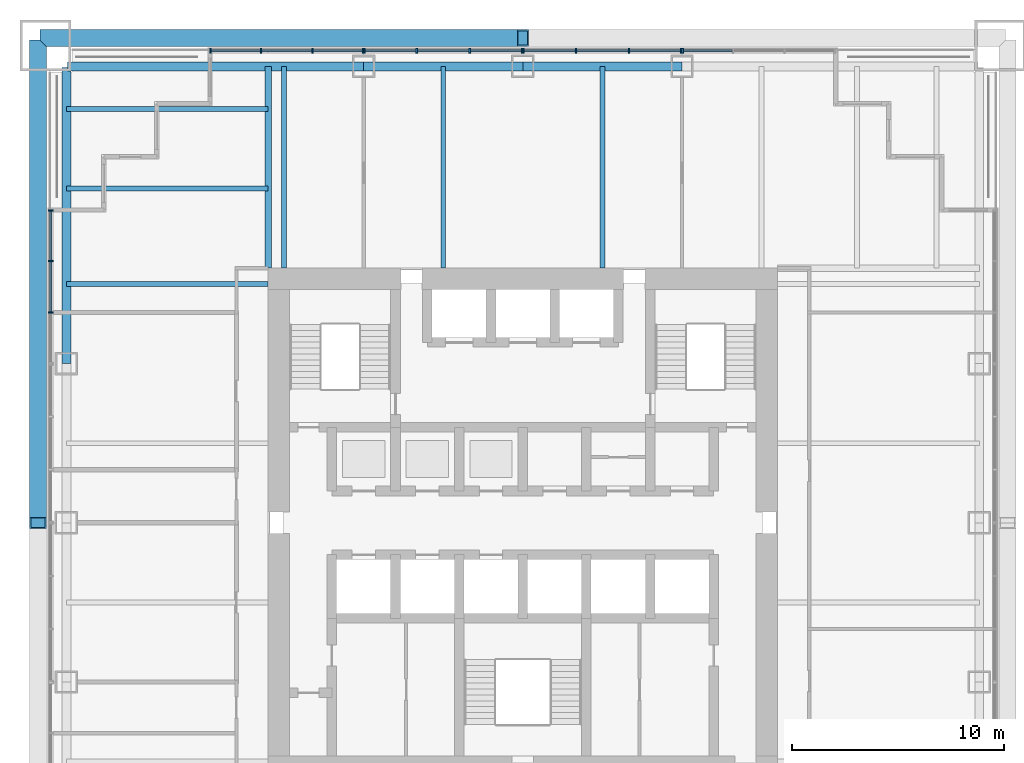
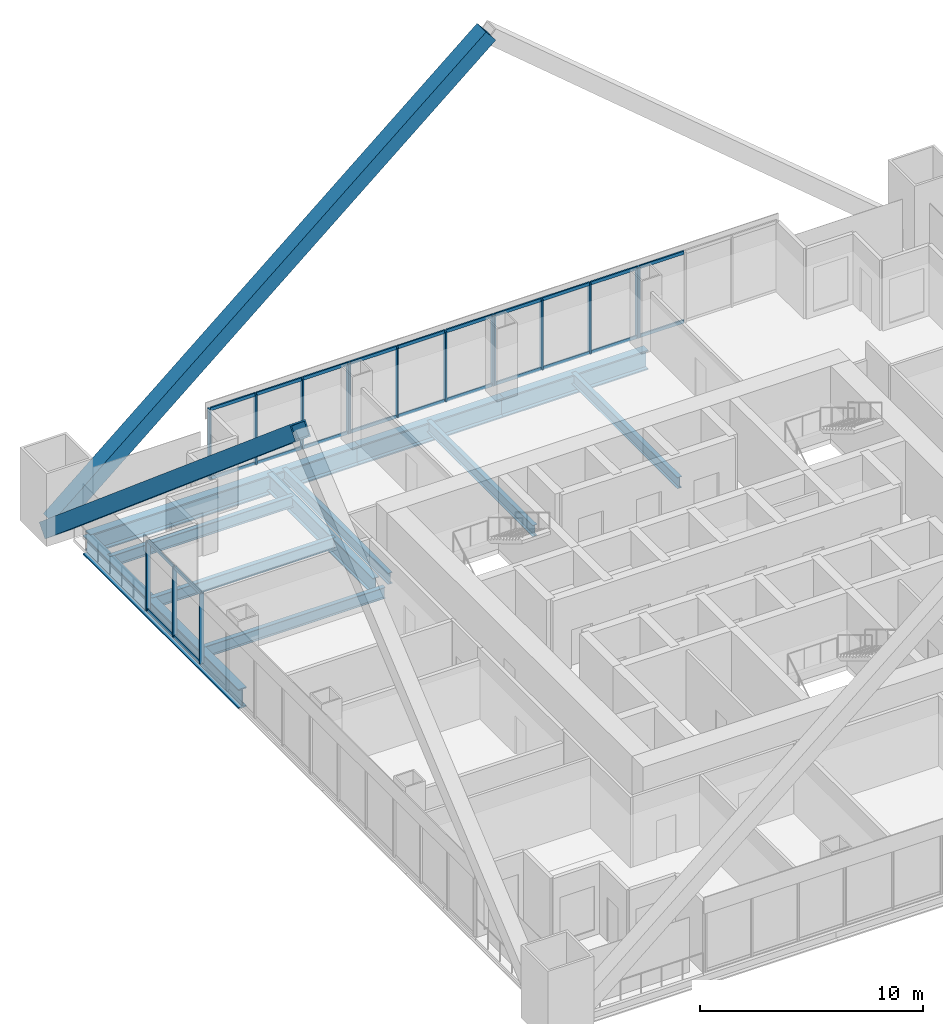
# One storey, part 5 of 14: 42 members, 11 beams, 5 elements without a shape of their own.
"""IFC4 building model written with IfcOpenShell, lengths in metres."""

from ifc_helpers import new_model, si_unit, direction, frame, origin, origin_2d, place, context, subcontext, project, spatial, rectangle, hollow_rectangle, i_section, extrude, material, material_profile, profile_set, type_object, element, aggregate, save


model = new_model("IFC4")

# Units and contexts
model_context = context("Model", 3, precision=1e-05, world=origin(), true_north=direction((0.0, 1.0)))
body_context = subcontext(model_context, "Body", "Model", "MODEL_VIEW")
ifc_project = project(units=[si_unit("LENGTHUNIT", "METRE"), si_unit("AREAUNIT", "SQUARE_METRE"), si_unit("VOLUMEUNIT", "CUBIC_METRE"), si_unit("PLANEANGLEUNIT", "RADIAN"), si_unit("MASSUNIT", "GRAM", prefix="KILO")], contexts=[model_context])

# Site, building, storey
site_placement = place(None, origin())
site = spatial("IfcSite", under=ifc_project, at=site_placement, CompositionType="ELEMENT")
building_placement = place(site_placement, origin())
building = spatial("IfcBuilding", under=site, at=building_placement, Name="Tarangal Relay Tower", CompositionType="ELEMENT")
storey_placement = place(building_placement, frame((0.0, 0.0, 177.89990234375)))
storey = spatial("IfcBuildingStorey", under=building, at=storey_placement, Name="L36", CompositionType="ELEMENT", Elevation=177.89990234375)

# Beams
ifc_material_1 = material(Name="Steel ASTM A992", Category="steel")
ifc_material_profile_1 = material_profile(ifc_material_1, i_section(OverallWidth=0.23046875, OverallDepth=0.6171875, WebThickness=0.01318359375, FlangeThickness=0.022216796875, at=origin_2d()), Name="W24X94")
ifc_profile_set_1 = profile_set([ifc_material_profile_1], Name="Steel ASTM A992")
beam_type_1 = type_object("IfcBeamType", Name="Corner beam W24X94", PredefinedType="JOIST", material=ifc_profile_set_1)
for number, where, z_axis, x_axis, name in (
    (1, (-12.0, 15.75, -0.45849609375), (-1.0, 0.0, 0.0), (0.0, -1.0, 0.0), "Corner beam CB14 W L36"),
    (2, (-12.0, 19.5, -0.45849609375), (-1.0, 0.0, 0.0), (0.0, -1.0, 0.0), "Corner beam CB14 W L36"),
):
    element("IfcBeam", number, at=place(storey_placement, frame(where, z_axis=z_axis, x_axis=x_axis)), inside=storey, type_object=beam_type_1, Name=name, PredefinedType="JOIST", context=body_context, shape_type="SweptSolid", body=[
        extrude(i_section(OverallWidth=0.23046875, OverallDepth=0.6171875, WebThickness=0.01318359375, FlangeThickness=0.022216796875, at=origin_2d()), origin(), (0.0, 0.0, 1.0), 9.514892578125),
    ])
ifc_material_profile_2 = material_profile(ifc_material_1, i_section(OverallWidth=0.307373046875, OverallDepth=0.9423828125, WebThickness=0.022216796875, FlangeThickness=0.039794921875, at=origin_2d()), Name="W36X232")
ifc_profile_set_2 = profile_set([ifc_material_profile_2], Name="Steel ASTM A992")
beam_type_2 = type_object("IfcBeamType", Name="Corner girder W36X232", PredefinedType="BEAM", material=ifc_profile_set_2)
beam_1_placement = place(storey_placement, frame((-12.0, 12.0, -0.62109375), z_axis=(0.0, 1.0, 0.0), x_axis=(-1.0, 0.0, 0.0)))
element("IfcBeam", 3, at=beam_1_placement, inside=storey, type_object=beam_type_2, Name="Corner girder CG4 W L36", PredefinedType="BEAM", context=body_context, shape_type="SweptSolid", body=[
    extrude(i_section(OverallWidth=0.307373046875, OverallDepth=0.9423828125, WebThickness=0.022216796875, FlangeThickness=0.039794921875, at=origin_2d()), origin(), (0.0, 0.0, 1.0), 9.514892578125),
])
ifc_material_profile_3 = material_profile(ifc_material_1, i_section(OverallWidth=0.41650390625, OverallDepth=1.0693359375, WebThickness=0.0390625, FlangeThickness=0.070068359375, at=origin_2d()), Name="W40X503")
ifc_profile_set_3 = profile_set([ifc_material_profile_3], Name="Steel ASTM A992")
beam_type_3 = type_object("IfcBeamType", Name="Edge girder W40X503", PredefinedType="SPANDREL", material=ifc_profile_set_3)
beam_2_placement = place(storey_placement, frame((-21.449951171875, 21.514892578125, -0.6845703125), z_axis=(1.0, 0.0, 0.0), x_axis=(0.0, 1.0, 0.0)))
element("IfcBeam", 4, at=beam_2_placement, inside=storey, type_object=beam_type_3, Name="Edge girder EG8 N L36", PredefinedType="SPANDREL", context=body_context, shape_type="SweptSolid", body=[
    extrude(i_section(OverallWidth=0.41650390625, OverallDepth=1.0693359375, WebThickness=0.0390625, FlangeThickness=0.070068359375, at=origin_2d()), origin(), (0.0, 0.0, 1.0), 13.949951171875),
])
for number, where, z_axis, x_axis, name in (
    (5, (-7.5, 21.514892578125, -0.6845703125), (1.0, 0.0, 0.0), (0.0, 1.0, 0.0), "Edge girder EG8 N L36"),
    (6, (0.0, 21.514892578125, -0.6845703125), (1.0, 0.0, 0.0), (0.0, 1.0, 0.0), "Edge girder EG8 N L36"),
):
    element("IfcBeam", number, at=place(storey_placement, frame(where, z_axis=z_axis, x_axis=x_axis)), inside=storey, type_object=beam_type_3, Name=name, PredefinedType="SPANDREL", context=body_context, shape_type="SweptSolid", body=[
        extrude(i_section(OverallWidth=0.41650390625, OverallDepth=1.0693359375, WebThickness=0.0390625, FlangeThickness=0.070068359375, at=origin_2d()), origin(), (0.0, 0.0, 1.0), 7.5),
    ])
beam_3_placement = place(storey_placement, frame((-21.514892578125, 7.5, -0.6845703125), z_axis=(0.0, 1.0, 0.0), x_axis=(-1.0, 0.0, 0.0)))
element("IfcBeam", 7, at=beam_3_placement, inside=storey, type_object=beam_type_3, Name="Edge girder EG8 W L36", PredefinedType="SPANDREL", context=body_context, shape_type="SweptSolid", body=[
    extrude(i_section(OverallWidth=0.41650390625, OverallDepth=1.0693359375, WebThickness=0.0390625, FlangeThickness=0.070068359375, at=origin_2d()), origin(), (0.0, 0.0, 1.0), 13.949951171875),
])
ifc_material_profile_4 = material_profile(ifc_material_1, i_section(OverallWidth=0.22900390625, OverallDepth=0.612060546875, WebThickness=0.011962890625, FlangeThickness=0.01953125, at=origin_2d()), Name="W24X84")
ifc_profile_set_4 = profile_set([ifc_material_profile_4], Name="Steel ASTM A992")
beam_type_4 = type_object("IfcBeamType", Name="Floor beam W24X84", PredefinedType="BEAM", material=ifc_profile_set_4)
for number, where, z_axis, x_axis, name in (
    (8, (-11.25, 12.0, -0.455810546875), (0.0, 1.0, 0.0), (-1.0, 0.0, 0.0), "Floor beam RB12 N L36"),
    (9, (-3.75, 12.0, -0.455810546875), (0.0, 1.0, 0.0), (-1.0, 0.0, 0.0), "Floor beam RB12 N L36"),
    (10, (3.75, 12.0, -0.455810546875), (0.0, 1.0, 0.0), (-1.0, 0.0, 0.0), "Floor beam RB12 N L36"),
    (11, (-12.0, 11.25, -0.455810546875), (-1.0, 0.0, 0.0), (0.0, -1.0, 0.0), "Floor beam RB12 W L36"),
):
    element("IfcBeam", number, at=place(storey_placement, frame(where, z_axis=z_axis, x_axis=x_axis)), inside=storey, type_object=beam_type_4, Name=name, PredefinedType="BEAM", context=body_context, shape_type="SweptSolid", body=[
        extrude(i_section(OverallWidth=0.22900390625, OverallDepth=0.612060546875, WebThickness=0.011962890625, FlangeThickness=0.01953125, at=origin_2d()), origin(), (0.0, 0.0, 1.0), 9.514892578125),
    ])

# Members
ifc_material_2 = material(Name="Steel ASTM A572 Grade 50", Category="steel")
ifc_material_profile_5 = material_profile(ifc_material_2, hollow_rectangle(XDim=0.800048828125, YDim=0.800048828125, WallThickness=0.06494140625, at=origin_2d()), Name="BOX800X800X65")
ifc_profile_set_5 = profile_set([ifc_material_profile_5], Name="Steel ASTM A572 Grade 50")
member_type_1 = type_object("IfcMemberType", Name="Mega brace BOX800X800X65", PredefinedType="BRACE", material=ifc_profile_set_5)
for number, where, z_axis, x_axis, name in (
    (12, (-22.5, 22.85009765625, 0.0), (0.764029915847, 0.0, 0.645180817826), (0.0, 1.0, 0.0), "Mega brace MB3 N face module 1"),
    (13, (-22.85009765625, 22.5, 0.0), (0.0, -0.764029915847, 0.645180817826), (1.0, 0.0, 0.0), "Mega brace MB3 W face module 1"),
):
    element("IfcMember", number, at=place(storey_placement, frame(where, z_axis=z_axis, x_axis=x_axis)), inside=storey, type_object=member_type_1, Name=name, PredefinedType="BRACE", context=body_context, shape_type="SweptSolid", body=[
        extrude(hollow_rectangle(XDim=0.800048828125, YDim=0.800048828125, WallThickness=0.06494140625, at=origin_2d()), origin(), (0.0, 0.0, 1.0), 29.44921875),
    ])

# Curtain wall, members
ifc_material_3 = material(Name="Unitised curtain wall, dark glass and black aluminium", Category="aluminium")
curtain_wall_type = type_object("IfcCurtainWallType", Name="Curtain wall CW-S", PredefinedType="USERDEFINED", material=ifc_material_3)
curtain_wall_1_placement = place(storey_placement, origin())
curtain_wall_1 = element("IfcCurtainWall", 14, at=curtain_wall_1_placement, inside=storey, type_object=curtain_wall_type, Name="Curtain wall CW-S N facade L36", ObjectType="UNITISED CURTAIN WALL", PredefinedType="USERDEFINED")
ifc_material_4 = material(Name="Black anodised aluminium mullion", Category="aluminium")
ifc_material_profile_6 = material_profile(ifc_material_4, rectangle(XDim=0.219970703125, YDim=0.074951171875, at=origin_2d()), Name="CW-SM 75X220")
ifc_profile_set_6 = profile_set([ifc_material_profile_6], Name="Black anodised aluminium mullion")
member_type_2 = type_object("IfcMemberType", Name="Mullion CW-S 75 x 220", PredefinedType="MULLION", material=ifc_profile_set_6)
member_1_placement = place(storey_placement, frame((-14.71240234375, 22.25, 0.0), z_axis=(0.0, 0.0, 1.0), x_axis=(0.0, 1.0, 0.0)))
member_1 = element("IfcMember", 15, at=member_1_placement, type_object=member_type_2, Name="CW-S mullion 1", PredefinedType="MULLION", context=body_context, shape_type="SweptSolid", body=[
    extrude(rectangle(XDim=0.219970703125, YDim=0.074951171875, at=origin_2d()), origin(), (0.0, 0.0, 1.0), 3.85009765625),
])
member_2_placement = place(storey_placement, frame((-12.333251953125, 22.25, 0.0), z_axis=(0.0, 0.0, 1.0), x_axis=(0.0, 1.0, 0.0)))
member_2 = element("IfcMember", 16, at=member_2_placement, type_object=member_type_2, Name="CW-S mullion 2", PredefinedType="MULLION", context=body_context, shape_type="SweptSolid", body=[
    extrude(rectangle(XDim=0.219970703125, YDim=0.074951171875, at=origin_2d()), origin(), (0.0, 0.0, 1.0), 3.85009765625),
])
member_3_placement = place(storey_placement, frame((-9.916748046875, 22.25, 0.0), z_axis=(0.0, 0.0, 1.0), x_axis=(0.0, 1.0, 0.0)))
member_3 = element("IfcMember", 17, at=member_3_placement, type_object=member_type_2, Name="CW-S mullion 3", PredefinedType="MULLION", context=body_context, shape_type="SweptSolid", body=[
    extrude(rectangle(XDim=0.219970703125, YDim=0.074951171875, at=origin_2d()), origin(), (0.0, 0.0, 1.0), 3.85009765625),
])
member_4_placement = place(storey_placement, frame((-7.53759765625, 22.25, 0.0), z_axis=(0.0, 0.0, 1.0), x_axis=(0.0, 1.0, 0.0)))
member_4 = element("IfcMember", 18, at=member_4_placement, type_object=member_type_2, Name="CW-S mullion 4", PredefinedType="MULLION", context=body_context, shape_type="SweptSolid", body=[
    extrude(rectangle(XDim=0.219970703125, YDim=0.074951171875, at=origin_2d()), origin(), (0.0, 0.0, 1.0), 3.85009765625),
])

curtain_wall_2_placement = place(storey_placement, origin())
curtain_wall_2 = element("IfcCurtainWall", 19, at=curtain_wall_2_placement, inside=storey, type_object=curtain_wall_type, Name="Curtain wall CW-S N facade L36", ObjectType="UNITISED CURTAIN WALL", PredefinedType="USERDEFINED")
member_5_placement = place(storey_placement, frame((-7.46240234375, 22.25, 0.0), z_axis=(0.0, 0.0, 1.0), x_axis=(0.0, 1.0, 0.0)))
member_5 = element("IfcMember", 20, at=member_5_placement, type_object=member_type_2, Name="CW-S mullion 1", PredefinedType="MULLION", context=body_context, shape_type="SweptSolid", body=[
    extrude(rectangle(XDim=0.219970703125, YDim=0.074951171875, at=origin_2d()), origin(), (0.0, 0.0, 1.0), 3.85009765625),
])
member_6_placement = place(storey_placement, frame((-5.0, 22.25, 0.0), z_axis=(0.0, 0.0, 1.0), x_axis=(0.0, 1.0, 0.0)))
member_6 = element("IfcMember", 21, at=member_6_placement, type_object=member_type_2, Name="CW-S mullion 2", PredefinedType="MULLION", context=body_context, shape_type="SweptSolid", body=[
    extrude(rectangle(XDim=0.219970703125, YDim=0.074951171875, at=origin_2d()), origin(), (0.0, 0.0, 1.0), 3.85009765625),
])
member_7_placement = place(storey_placement, frame((-2.5, 22.25, 0.0), z_axis=(0.0, 0.0, 1.0), x_axis=(0.0, 1.0, 0.0)))
member_7 = element("IfcMember", 22, at=member_7_placement, type_object=member_type_2, Name="CW-S mullion 3", PredefinedType="MULLION", context=body_context, shape_type="SweptSolid", body=[
    extrude(rectangle(XDim=0.219970703125, YDim=0.074951171875, at=origin_2d()), origin(), (0.0, 0.0, 1.0), 3.85009765625),
])
member_8_placement = place(storey_placement, frame((-0.03759765625, 22.25, 0.0), z_axis=(0.0, 0.0, 1.0), x_axis=(0.0, 1.0, 0.0)))
member_8 = element("IfcMember", 23, at=member_8_placement, type_object=member_type_2, Name="CW-S mullion 4", PredefinedType="MULLION", context=body_context, shape_type="SweptSolid", body=[
    extrude(rectangle(XDim=0.219970703125, YDim=0.074951171875, at=origin_2d()), origin(), (0.0, 0.0, 1.0), 3.85009765625),
])

curtain_wall_3_placement = place(storey_placement, origin())
curtain_wall_3 = element("IfcCurtainWall", 24, at=curtain_wall_3_placement, inside=storey, type_object=curtain_wall_type, Name="Curtain wall CW-S N facade L36", ObjectType="UNITISED CURTAIN WALL", PredefinedType="USERDEFINED")
member_9_placement = place(storey_placement, frame((0.03759765625, 22.25, 0.0), z_axis=(0.0, 0.0, 1.0), x_axis=(0.0, 1.0, 0.0)))
member_9 = element("IfcMember", 25, at=member_9_placement, type_object=member_type_2, Name="CW-S mullion 1", PredefinedType="MULLION", context=body_context, shape_type="SweptSolid", body=[
    extrude(rectangle(XDim=0.219970703125, YDim=0.074951171875, at=origin_2d()), origin(), (0.0, 0.0, 1.0), 3.85009765625),
])
member_10_placement = place(storey_placement, frame((2.5, 22.25, 0.0), z_axis=(0.0, 0.0, 1.0), x_axis=(0.0, 1.0, 0.0)))
member_10 = element("IfcMember", 26, at=member_10_placement, type_object=member_type_2, Name="CW-S mullion 2", PredefinedType="MULLION", context=body_context, shape_type="SweptSolid", body=[
    extrude(rectangle(XDim=0.219970703125, YDim=0.074951171875, at=origin_2d()), origin(), (0.0, 0.0, 1.0), 3.85009765625),
])
member_11_placement = place(storey_placement, frame((5.0, 22.25, 0.0), z_axis=(0.0, 0.0, 1.0), x_axis=(0.0, 1.0, 0.0)))
member_11 = element("IfcMember", 27, at=member_11_placement, type_object=member_type_2, Name="CW-S mullion 3", PredefinedType="MULLION", context=body_context, shape_type="SweptSolid", body=[
    extrude(rectangle(XDim=0.219970703125, YDim=0.074951171875, at=origin_2d()), origin(), (0.0, 0.0, 1.0), 3.85009765625),
])
member_12_placement = place(storey_placement, frame((7.46240234375, 22.25, 0.0), z_axis=(0.0, 0.0, 1.0), x_axis=(0.0, 1.0, 0.0)))
member_12 = element("IfcMember", 28, at=member_12_placement, type_object=member_type_2, Name="CW-S mullion 4", PredefinedType="MULLION", context=body_context, shape_type="SweptSolid", body=[
    extrude(rectangle(XDim=0.219970703125, YDim=0.074951171875, at=origin_2d()), origin(), (0.0, 0.0, 1.0), 3.85009765625),
])

# Curtain wall, member
curtain_wall_4_placement = place(storey_placement, origin())
curtain_wall_4 = element("IfcCurtainWall", 29, at=curtain_wall_4_placement, inside=storey, type_object=curtain_wall_type, Name="Curtain wall CW-S N facade L36", ObjectType="UNITISED CURTAIN WALL", PredefinedType="USERDEFINED")
member_13_placement = place(storey_placement, frame((7.53759765625, 22.25, 0.0), z_axis=(0.0, 0.0, 1.0), x_axis=(0.0, 1.0, 0.0)))
member_13 = element("IfcMember", 30, at=member_13_placement, type_object=member_type_2, Name="CW-S mullion 1", PredefinedType="MULLION", context=body_context, shape_type="SweptSolid", body=[
    extrude(rectangle(XDim=0.219970703125, YDim=0.074951171875, at=origin_2d()), origin(), (0.0, 0.0, 1.0), 3.85009765625),
])

# Curtain wall, members
curtain_wall_5_placement = place(storey_placement, origin())
curtain_wall_5 = element("IfcCurtainWall", 31, at=curtain_wall_5_placement, inside=storey, type_object=curtain_wall_type, Name="Curtain wall CW-S W facade L36", ObjectType="UNITISED CURTAIN WALL", PredefinedType="USERDEFINED")
member_14_placement = place(storey_placement, frame((-22.25, 9.916748046875, 0.0), z_axis=(0.0, 0.0, 1.0), x_axis=(-1.0, 0.0, 0.0)))
member_14 = element("IfcMember", 32, at=member_14_placement, type_object=member_type_2, Name="CW-S mullion 2", PredefinedType="MULLION", context=body_context, shape_type="SweptSolid", body=[
    extrude(rectangle(XDim=0.219970703125, YDim=0.074951171875, at=origin_2d()), origin(), (0.0, 0.0, 1.0), 3.85009765625),
])
member_15_placement = place(storey_placement, frame((-22.25, 12.333251953125, 0.0), z_axis=(0.0, 0.0, 1.0), x_axis=(-1.0, 0.0, 0.0)))
member_15 = element("IfcMember", 33, at=member_15_placement, type_object=member_type_2, Name="CW-S mullion 3", PredefinedType="MULLION", context=body_context, shape_type="SweptSolid", body=[
    extrude(rectangle(XDim=0.219970703125, YDim=0.074951171875, at=origin_2d()), origin(), (0.0, 0.0, 1.0), 3.85009765625),
])
member_16_placement = place(storey_placement, frame((-22.25, 14.71240234375, 0.0), z_axis=(0.0, 0.0, 1.0), x_axis=(-1.0, 0.0, 0.0)))
member_16 = element("IfcMember", 34, at=member_16_placement, type_object=member_type_2, Name="CW-S mullion 4", PredefinedType="MULLION", context=body_context, shape_type="SweptSolid", body=[
    extrude(rectangle(XDim=0.219970703125, YDim=0.074951171875, at=origin_2d()), origin(), (0.0, 0.0, 1.0), 3.85009765625),
])

# Member
ifc_material_5 = material(Name="Black anodised aluminium transom", Category="aluminium")
ifc_material_profile_7 = material_profile(ifc_material_5, rectangle(XDim=0.074951171875, YDim=0.179931640625, at=origin_2d()), Name="CW-ST 75X180")
ifc_profile_set_7 = profile_set([ifc_material_profile_7], Name="Black anodised aluminium transom")
member_type_3 = type_object("IfcMemberType", Name="Transom CW-S 75 x 180", PredefinedType="USERDEFINED", material=ifc_profile_set_7)
member_17_placement = place(storey_placement, frame((-14.675048828125, 22.25, 0.03759765625), z_axis=(1.0, 0.0, 0.0), x_axis=(0.0, 1.0, 0.0)))
member_17 = element("IfcMember", 35, at=member_17_placement, type_object=member_type_3, Name="CW-S transom 1.1", ObjectType="TRANSOM", PredefinedType="USERDEFINED", context=body_context, shape_type="SweptSolid", body=[
    extrude(rectangle(XDim=0.074951171875, YDim=0.179931640625, at=origin_2d()), origin(), (0.0, 0.0, 1.0), 2.30419921875),
])

member_18_placement = place(storey_placement, frame((-14.675048828125, 22.25, 3.8125), z_axis=(1.0, 0.0, 0.0), x_axis=(0.0, 1.0, 0.0)))
member_18 = element("IfcMember", 36, at=member_18_placement, type_object=member_type_3, Name="CW-S transom 1.2", ObjectType="TRANSOM", PredefinedType="USERDEFINED", context=body_context, shape_type="SweptSolid", body=[
    extrude(rectangle(XDim=0.074951171875, YDim=0.179931640625, at=origin_2d()), origin(), (0.0, 0.0, 1.0), 2.30419921875),
])

member_19_placement = place(storey_placement, frame((-12.2958984375, 22.25, 0.03759765625), z_axis=(1.0, 0.0, 0.0), x_axis=(0.0, 1.0, 0.0)))
member_19 = element("IfcMember", 37, at=member_19_placement, type_object=member_type_3, Name="CW-S transom 2.1", ObjectType="TRANSOM", PredefinedType="USERDEFINED", context=body_context, shape_type="SweptSolid", body=[
    extrude(rectangle(XDim=0.074951171875, YDim=0.179931640625, at=origin_2d()), origin(), (0.0, 0.0, 1.0), 2.341796875),
])

member_20_placement = place(storey_placement, frame((-12.2958984375, 22.25, 3.8125), z_axis=(1.0, 0.0, 0.0), x_axis=(0.0, 1.0, 0.0)))
member_20 = element("IfcMember", 38, at=member_20_placement, type_object=member_type_3, Name="CW-S transom 2.2", ObjectType="TRANSOM", PredefinedType="USERDEFINED", context=body_context, shape_type="SweptSolid", body=[
    extrude(rectangle(XDim=0.074951171875, YDim=0.179931640625, at=origin_2d()), origin(), (0.0, 0.0, 1.0), 2.341796875),
])

member_21_placement = place(storey_placement, frame((-9.879150390625, 22.25, 0.03759765625), z_axis=(1.0, 0.0, 0.0), x_axis=(0.0, 1.0, 0.0)))
member_21 = element("IfcMember", 39, at=member_21_placement, type_object=member_type_3, Name="CW-S transom 3.1", ObjectType="TRANSOM", PredefinedType="USERDEFINED", context=body_context, shape_type="SweptSolid", body=[
    extrude(rectangle(XDim=0.074951171875, YDim=0.179931640625, at=origin_2d()), origin(), (0.0, 0.0, 1.0), 2.30419921875),
])

member_22_placement = place(storey_placement, frame((-9.879150390625, 22.25, 3.8125), z_axis=(1.0, 0.0, 0.0), x_axis=(0.0, 1.0, 0.0)))
member_22 = element("IfcMember", 40, at=member_22_placement, type_object=member_type_3, Name="CW-S transom 3.2", ObjectType="TRANSOM", PredefinedType="USERDEFINED", context=body_context, shape_type="SweptSolid", body=[
    extrude(rectangle(XDim=0.074951171875, YDim=0.179931640625, at=origin_2d()), origin(), (0.0, 0.0, 1.0), 2.30419921875),
])

aggregate(curtain_wall_1, [member_1, member_2, member_3, member_4, member_17, member_18, member_19, member_20, member_21, member_22])

member_23_placement = place(storey_placement, frame((-7.425048828125, 22.25, 0.03759765625), z_axis=(1.0, 0.0, 0.0), x_axis=(0.0, 1.0, 0.0)))
member_23 = element("IfcMember", 41, at=member_23_placement, type_object=member_type_3, Name="CW-S transom 1.1", ObjectType="TRANSOM", PredefinedType="USERDEFINED", context=body_context, shape_type="SweptSolid", body=[
    extrude(rectangle(XDim=0.074951171875, YDim=0.179931640625, at=origin_2d()), origin(), (0.0, 0.0, 1.0), 2.387451171875),
])

member_24_placement = place(storey_placement, frame((-7.425048828125, 22.25, 3.8125), z_axis=(1.0, 0.0, 0.0), x_axis=(0.0, 1.0, 0.0)))
member_24 = element("IfcMember", 42, at=member_24_placement, type_object=member_type_3, Name="CW-S transom 1.2", ObjectType="TRANSOM", PredefinedType="USERDEFINED", context=body_context, shape_type="SweptSolid", body=[
    extrude(rectangle(XDim=0.074951171875, YDim=0.179931640625, at=origin_2d()), origin(), (0.0, 0.0, 1.0), 2.387451171875),
])

member_25_placement = place(storey_placement, frame((-4.96240234375, 22.25, 0.03759765625), z_axis=(1.0, 0.0, 0.0), x_axis=(0.0, 1.0, 0.0)))
member_25 = element("IfcMember", 43, at=member_25_placement, type_object=member_type_3, Name="CW-S transom 2.1", ObjectType="TRANSOM", PredefinedType="USERDEFINED", context=body_context, shape_type="SweptSolid", body=[
    extrude(rectangle(XDim=0.074951171875, YDim=0.179931640625, at=origin_2d()), origin(), (0.0, 0.0, 1.0), 2.4248046875),
])

member_26_placement = place(storey_placement, frame((-4.96240234375, 22.25, 3.8125), z_axis=(1.0, 0.0, 0.0), x_axis=(0.0, 1.0, 0.0)))
member_26 = element("IfcMember", 44, at=member_26_placement, type_object=member_type_3, Name="CW-S transom 2.2", ObjectType="TRANSOM", PredefinedType="USERDEFINED", context=body_context, shape_type="SweptSolid", body=[
    extrude(rectangle(XDim=0.074951171875, YDim=0.179931640625, at=origin_2d()), origin(), (0.0, 0.0, 1.0), 2.4248046875),
])

member_27_placement = place(storey_placement, frame((-2.46240234375, 22.25, 0.03759765625), z_axis=(1.0, 0.0, 0.0), x_axis=(0.0, 1.0, 0.0)))
member_27 = element("IfcMember", 45, at=member_27_placement, type_object=member_type_3, Name="CW-S transom 3.1", ObjectType="TRANSOM", PredefinedType="USERDEFINED", context=body_context, shape_type="SweptSolid", body=[
    extrude(rectangle(XDim=0.074951171875, YDim=0.179931640625, at=origin_2d()), origin(), (0.0, 0.0, 1.0), 2.387451171875),
])

member_28_placement = place(storey_placement, frame((-2.46240234375, 22.25, 3.8125), z_axis=(1.0, 0.0, 0.0), x_axis=(0.0, 1.0, 0.0)))
member_28 = element("IfcMember", 46, at=member_28_placement, type_object=member_type_3, Name="CW-S transom 3.2", ObjectType="TRANSOM", PredefinedType="USERDEFINED", context=body_context, shape_type="SweptSolid", body=[
    extrude(rectangle(XDim=0.074951171875, YDim=0.179931640625, at=origin_2d()), origin(), (0.0, 0.0, 1.0), 2.387451171875),
])

aggregate(curtain_wall_2, [member_5, member_6, member_7, member_8, member_23, member_24, member_25, member_26, member_27, member_28])

member_29_placement = place(storey_placement, frame((0.074951171875, 22.25, 0.03759765625), z_axis=(1.0, 0.0, 0.0), x_axis=(0.0, 1.0, 0.0)))
member_29 = element("IfcMember", 47, at=member_29_placement, type_object=member_type_3, Name="CW-S transom 1.1", ObjectType="TRANSOM", PredefinedType="USERDEFINED", context=body_context, shape_type="SweptSolid", body=[
    extrude(rectangle(XDim=0.074951171875, YDim=0.179931640625, at=origin_2d()), origin(), (0.0, 0.0, 1.0), 2.387451171875),
])

member_30_placement = place(storey_placement, frame((0.074951171875, 22.25, 3.8125), z_axis=(1.0, 0.0, 0.0), x_axis=(0.0, 1.0, 0.0)))
member_30 = element("IfcMember", 48, at=member_30_placement, type_object=member_type_3, Name="CW-S transom 1.2", ObjectType="TRANSOM", PredefinedType="USERDEFINED", context=body_context, shape_type="SweptSolid", body=[
    extrude(rectangle(XDim=0.074951171875, YDim=0.179931640625, at=origin_2d()), origin(), (0.0, 0.0, 1.0), 2.387451171875),
])

member_31_placement = place(storey_placement, frame((2.53759765625, 22.25, 0.03759765625), z_axis=(1.0, 0.0, 0.0), x_axis=(0.0, 1.0, 0.0)))
member_31 = element("IfcMember", 49, at=member_31_placement, type_object=member_type_3, Name="CW-S transom 2.1", ObjectType="TRANSOM", PredefinedType="USERDEFINED", context=body_context, shape_type="SweptSolid", body=[
    extrude(rectangle(XDim=0.074951171875, YDim=0.179931640625, at=origin_2d()), origin(), (0.0, 0.0, 1.0), 2.4248046875),
])

member_32_placement = place(storey_placement, frame((2.53759765625, 22.25, 3.8125), z_axis=(1.0, 0.0, 0.0), x_axis=(0.0, 1.0, 0.0)))
member_32 = element("IfcMember", 50, at=member_32_placement, type_object=member_type_3, Name="CW-S transom 2.2", ObjectType="TRANSOM", PredefinedType="USERDEFINED", context=body_context, shape_type="SweptSolid", body=[
    extrude(rectangle(XDim=0.074951171875, YDim=0.179931640625, at=origin_2d()), origin(), (0.0, 0.0, 1.0), 2.4248046875),
])

member_33_placement = place(storey_placement, frame((5.03759765625, 22.25, 0.03759765625), z_axis=(1.0, 0.0, 0.0), x_axis=(0.0, 1.0, 0.0)))
member_33 = element("IfcMember", 51, at=member_33_placement, type_object=member_type_3, Name="CW-S transom 3.1", ObjectType="TRANSOM", PredefinedType="USERDEFINED", context=body_context, shape_type="SweptSolid", body=[
    extrude(rectangle(XDim=0.074951171875, YDim=0.179931640625, at=origin_2d()), origin(), (0.0, 0.0, 1.0), 2.387451171875),
])

member_34_placement = place(storey_placement, frame((5.03759765625, 22.25, 3.8125), z_axis=(1.0, 0.0, 0.0), x_axis=(0.0, 1.0, 0.0)))
member_34 = element("IfcMember", 52, at=member_34_placement, type_object=member_type_3, Name="CW-S transom 3.2", ObjectType="TRANSOM", PredefinedType="USERDEFINED", context=body_context, shape_type="SweptSolid", body=[
    extrude(rectangle(XDim=0.074951171875, YDim=0.179931640625, at=origin_2d()), origin(), (0.0, 0.0, 1.0), 2.387451171875),
])

aggregate(curtain_wall_3, [member_9, member_10, member_11, member_12, member_29, member_30, member_31, member_32, member_33, member_34])

member_35_placement = place(storey_placement, frame((7.574951171875, 22.25, 0.03759765625), z_axis=(1.0, 0.0, 0.0), x_axis=(0.0, 1.0, 0.0)))
member_35 = element("IfcMember", 53, at=member_35_placement, type_object=member_type_3, Name="CW-S transom 1.1", ObjectType="TRANSOM", PredefinedType="USERDEFINED", context=body_context, shape_type="SweptSolid", body=[
    extrude(rectangle(XDim=0.074951171875, YDim=0.179931640625, at=origin_2d()), origin(), (0.0, 0.0, 1.0), 2.30419921875),
])

member_36_placement = place(storey_placement, frame((7.574951171875, 22.25, 3.8125), z_axis=(1.0, 0.0, 0.0), x_axis=(0.0, 1.0, 0.0)))
member_36 = element("IfcMember", 54, at=member_36_placement, type_object=member_type_3, Name="CW-S transom 1.2", ObjectType="TRANSOM", PredefinedType="USERDEFINED", context=body_context, shape_type="SweptSolid", body=[
    extrude(rectangle(XDim=0.074951171875, YDim=0.179931640625, at=origin_2d()), origin(), (0.0, 0.0, 1.0), 2.30419921875),
])

aggregate(curtain_wall_4, [member_13, member_35, member_36])

member_37_placement = place(storey_placement, frame((-22.25, 9.9541015625, 0.03759765625), z_axis=(0.0, 1.0, 0.0), x_axis=(-1.0, 0.0, 0.0)))
member_37 = element("IfcMember", 55, at=member_37_placement, type_object=member_type_3, Name="CW-S transom 2.1", ObjectType="TRANSOM", PredefinedType="USERDEFINED", context=body_context, shape_type="SweptSolid", body=[
    extrude(rectangle(XDim=0.074951171875, YDim=0.179931640625, at=origin_2d()), origin(), (0.0, 0.0, 1.0), 2.341796875),
])

member_38_placement = place(storey_placement, frame((-22.25, 9.9541015625, 3.8125), z_axis=(0.0, 1.0, 0.0), x_axis=(-1.0, 0.0, 0.0)))
member_38 = element("IfcMember", 56, at=member_38_placement, type_object=member_type_3, Name="CW-S transom 2.2", ObjectType="TRANSOM", PredefinedType="USERDEFINED", context=body_context, shape_type="SweptSolid", body=[
    extrude(rectangle(XDim=0.074951171875, YDim=0.179931640625, at=origin_2d()), origin(), (0.0, 0.0, 1.0), 2.341796875),
])

member_39_placement = place(storey_placement, frame((-22.25, 12.370849609375, 0.03759765625), z_axis=(0.0, 1.0, 0.0), x_axis=(-1.0, 0.0, 0.0)))
member_39 = element("IfcMember", 57, at=member_39_placement, type_object=member_type_3, Name="CW-S transom 3.1", ObjectType="TRANSOM", PredefinedType="USERDEFINED", context=body_context, shape_type="SweptSolid", body=[
    extrude(rectangle(XDim=0.074951171875, YDim=0.179931640625, at=origin_2d()), origin(), (0.0, 0.0, 1.0), 2.30419921875),
])

member_40_placement = place(storey_placement, frame((-22.25, 12.370849609375, 3.8125), z_axis=(0.0, 1.0, 0.0), x_axis=(-1.0, 0.0, 0.0)))
member_40 = element("IfcMember", 58, at=member_40_placement, type_object=member_type_3, Name="CW-S transom 3.2", ObjectType="TRANSOM", PredefinedType="USERDEFINED", context=body_context, shape_type="SweptSolid", body=[
    extrude(rectangle(XDim=0.074951171875, YDim=0.179931640625, at=origin_2d()), origin(), (0.0, 0.0, 1.0), 2.30419921875),
])

aggregate(curtain_wall_5, [member_14, member_15, member_16, member_37, member_38, member_39, member_40])

save(model, "model.ifc")
